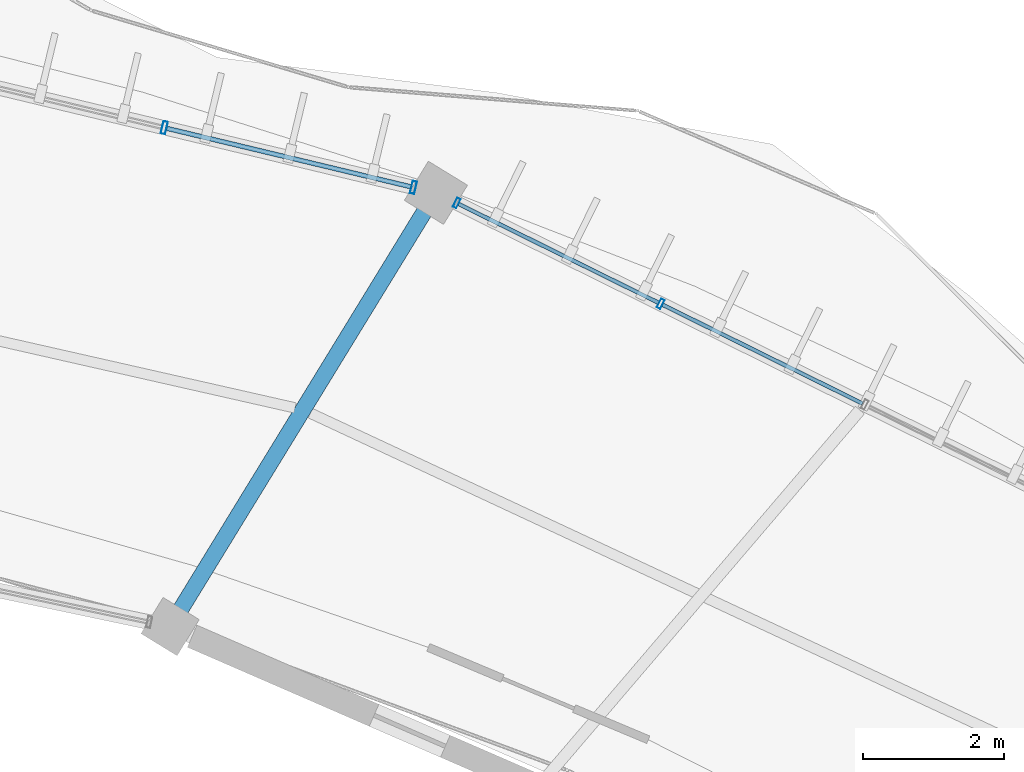
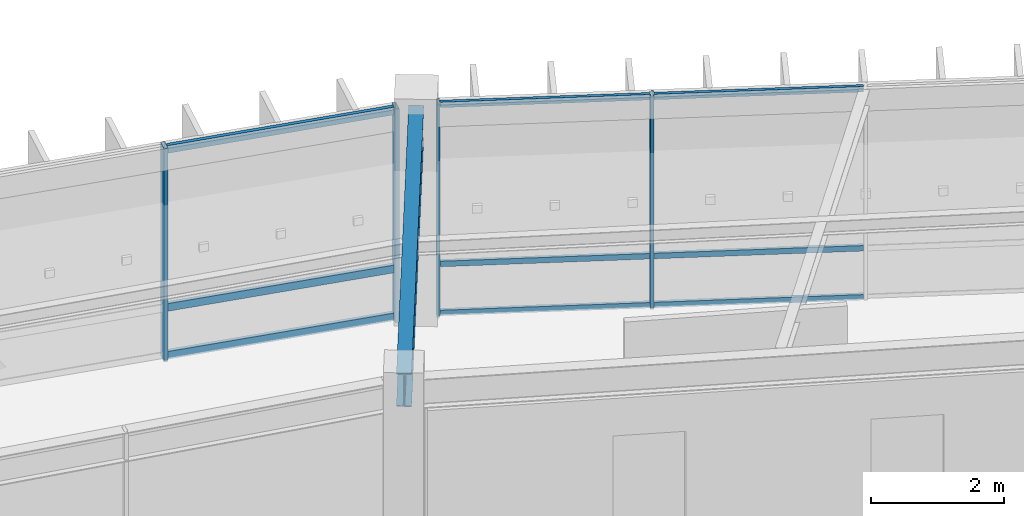
# One storey, part 69 of 114: 13 members, 1 beam, 2 elements without a shape of their own.
"""IFC4 building model written with IfcOpenShell, lengths in metres."""

from ifc_helpers import new_model, si_unit, direction, frame, origin, origin_2d, place, context, subcontext, project, spatial, hollow_rectangle, i_section, extrude, material, material_profile, profile_set, type_object, element, aggregate, save


model = new_model("IFC4")

# Units and contexts
model_context = context("Model", 3, precision=1e-05, world=origin(), true_north=direction((0.0, 1.0)))
body_context = subcontext(model_context, "Body", "Model", "MODEL_VIEW")
ifc_project = project(units=[si_unit("LENGTHUNIT", "METRE"), si_unit("AREAUNIT", "SQUARE_METRE"), si_unit("VOLUMEUNIT", "CUBIC_METRE"), si_unit("PLANEANGLEUNIT", "RADIAN"), si_unit("MASSUNIT", "GRAM", prefix="KILO"), si_unit("THERMODYNAMICTEMPERATUREUNIT", "KELVIN"), si_unit("POWERUNIT", "WATT")], contexts=[model_context])

# Site, building, storey
site_placement = place(None, origin())
site = spatial("IfcSite", under=ifc_project, at=site_placement, CompositionType="ELEMENT")
building_placement = place(site_placement, origin())
building = spatial("IfcBuilding", under=site, at=building_placement, Name="Darbajah Civic Hall", CompositionType="ELEMENT")
storey_placement = place(building_placement, frame((0.0, 0.0, 13.800048828125)))
storey = spatial("IfcBuildingStorey", under=building, at=storey_placement, Name="L03", CompositionType="ELEMENT", Elevation=13.800048828125)

# Curtain wall, members
ifc_material_1 = material(Name="Anodised Bronze Aluminium and Low-E Glazing", Category="aluminium")
curtain_wall_type_1 = type_object("IfcCurtainWallType", Name="Unitised Curtain Wall CW-56 12900x3900", PredefinedType="USERDEFINED", material=ifc_material_1)
curtain_wall_1_placement = place(storey_placement, origin())
curtain_wall_1 = element("IfcCurtainWall", 1, at=curtain_wall_1_placement, inside=storey, type_object=curtain_wall_type_1, Name="L03 unitised curtain wall CW-V1O-L03-02", ObjectType="UNITISED CURTAIN WALL", PredefinedType="USERDEFINED")
ifc_material_2 = material(Name="Anodised Bronze Aluminium", Category="aluminium")
ifc_material_profile_1 = material_profile(ifc_material_2, hollow_rectangle(XDim=0.054931640625, YDim=0.139892578125, WallThickness=0.003173828125, at=origin_2d()), Name="ALU MULLION 55x140")
ifc_profile_set_1 = profile_set([ifc_material_profile_1], Name="Anodised Bronze Aluminium")
member_type_1 = type_object("IfcMemberType", Name="ALU MULLION 55x140", PredefinedType="MULLION", material=ifc_profile_set_1)
member_1_placement = place(storey_placement, frame((118.92724609375, 113.3818359375, 0.0), z_axis=(0.0, 0.0, 1.0), x_axis=(-0.89656374724, 0.442914717678, 0.0)))
member_1 = element("IfcMember", 2, at=member_1_placement, type_object=member_type_1, Name="CW-V1O-L03-02 mullion 4", PredefinedType="MULLION", context=body_context, shape_type="SweptSolid", body=[
    extrude(hollow_rectangle(XDim=0.054931640625, YDim=0.139892578125, WallThickness=0.003173828125, at=origin_2d()), origin(), (0.0, 0.0, 1.0), 3.919921875),
])
member_2_placement = place(storey_placement, frame((116.04052734375, 114.80810546875, 0.0), z_axis=(0.0, 0.0, 1.0), x_axis=(-0.89656374724, 0.442914717678, 0.0)))
member_2 = element("IfcMember", 3, at=member_2_placement, type_object=member_type_1, Name="CW-V1O-L03-02 mullion 5", PredefinedType="MULLION", context=body_context, shape_type="SweptSolid", body=[
    extrude(hollow_rectangle(XDim=0.054931640625, YDim=0.139892578125, WallThickness=0.003173828125, at=origin_2d()), origin(), (0.0, 0.0, 1.0), 3.919921875),
])

curtain_wall_type_2 = type_object("IfcCurtainWallType", Name="Unitised Curtain Wall CW-40 14500x3900", PredefinedType="USERDEFINED", material=ifc_material_1)
curtain_wall_2_placement = place(storey_placement, origin())
curtain_wall_2 = element("IfcCurtainWall", 4, at=curtain_wall_2_placement, inside=storey, type_object=curtain_wall_type_2, Name="L03 unitised curtain wall CW-V1O-L03-03", ObjectType="UNITISED CURTAIN WALL", PredefinedType="USERDEFINED")
ifc_material_profile_2 = material_profile(ifc_material_2, hollow_rectangle(XDim=0.06494140625, YDim=0.179931640625, WallThickness=0.00390625, at=origin_2d()), Name="ALU MULLION 65x180")
ifc_profile_set_2 = profile_set([ifc_material_profile_2], Name="Anodised Bronze Aluminium")
member_type_2 = type_object("IfcMemberType", Name="ALU MULLION 65x180", PredefinedType="MULLION", material=ifc_profile_set_2)
member_3_placement = place(storey_placement, frame((115.429443359375, 115.029052734375, 0.0), z_axis=(0.0, 0.0, 1.0), x_axis=(-0.972492018808, 0.232936200179, 0.0)))
member_3 = element("IfcMember", 5, at=member_3_placement, type_object=member_type_2, Name="CW-V1O-L03-03 mullion 1", PredefinedType="MULLION", context=body_context, shape_type="SweptSolid", body=[
    extrude(hollow_rectangle(XDim=0.06494140625, YDim=0.179931640625, WallThickness=0.00390625, at=origin_2d()), origin(), (0.0, 0.0, 1.0), 3.919921875),
])
member_4_placement = place(storey_placement, frame((111.903076171875, 115.8740234375, 0.0), z_axis=(0.0, 0.0, 1.0), x_axis=(-0.972492018808, 0.232936200179, 0.0)))
member_4 = element("IfcMember", 6, at=member_4_placement, type_object=member_type_2, Name="CW-V1O-L03-03 mullion 2", PredefinedType="MULLION", context=body_context, shape_type="SweptSolid", body=[
    extrude(hollow_rectangle(XDim=0.06494140625, YDim=0.179931640625, WallThickness=0.00390625, at=origin_2d()), origin(), (0.0, 0.0, 1.0), 3.919921875),
])

# Member
ifc_material_profile_3 = material_profile(ifc_material_2, hollow_rectangle(XDim=0.054931640625, YDim=0.10009765625, WallThickness=0.0029296875, at=origin_2d()), Name="ALU TRANSOM 55x100")
ifc_profile_set_3 = profile_set([ifc_material_profile_3], Name="Anodised Bronze Aluminium")
member_type_3 = type_object("IfcMemberType", Name="ALU TRANSOM 55x100", PredefinedType="USERDEFINED", material=ifc_profile_set_3)
member_5_placement = place(storey_placement, frame((121.784912109375, 111.97021484375, 0.050048828125), z_axis=(-0.896537562608, 0.442967717597, 0.0), x_axis=(-0.442967717597, -0.896537562608, 0.0)))
member_5 = element("IfcMember", 7, at=member_5_placement, type_object=member_type_3, Name="CW-V1O-L03-02 transom 3.1", ObjectType="TRANSOM", PredefinedType="USERDEFINED", context=body_context, shape_type="SweptSolid", body=[
    extrude(hollow_rectangle(XDim=0.054931640625, YDim=0.10009765625, WallThickness=0.0029296875, at=origin_2d()), origin(), (0.0, 0.0, 1.0), 3.15478515625),
])

member_6_placement = place(storey_placement, frame((121.784912109375, 111.97021484375, 0.949951171875), z_axis=(-0.896537562608, 0.442967717597, 0.0), x_axis=(-0.442967717597, -0.896537562608, 0.0)))
member_6 = element("IfcMember", 8, at=member_6_placement, type_object=member_type_3, Name="CW-V1O-L03-02 transom 3.2", ObjectType="TRANSOM", PredefinedType="USERDEFINED", context=body_context, shape_type="SweptSolid", body=[
    extrude(hollow_rectangle(XDim=0.054931640625, YDim=0.10009765625, WallThickness=0.0029296875, at=origin_2d()), origin(), (0.0, 0.0, 1.0), 3.15478515625),
])

member_7_placement = place(storey_placement, frame((121.784912109375, 111.97021484375, 3.869873046875), z_axis=(-0.896537562608, 0.442967717597, 0.0), x_axis=(-0.442967717597, -0.896537562608, 0.0)))
member_7 = element("IfcMember", 9, at=member_7_placement, type_object=member_type_3, Name="CW-V1O-L03-02 transom 3.3", ObjectType="TRANSOM", PredefinedType="USERDEFINED", context=body_context, shape_type="SweptSolid", body=[
    extrude(hollow_rectangle(XDim=0.054931640625, YDim=0.10009765625, WallThickness=0.0029296875, at=origin_2d()), origin(), (0.0, 0.0, 1.0), 3.15478515625),
])

member_8_placement = place(storey_placement, frame((118.898193359375, 113.396240234375, 0.050048828125), z_axis=(-0.896552746091, 0.442936985899, 0.0), x_axis=(-0.442936985899, -0.896552746091, 0.0)))
member_8 = element("IfcMember", 10, at=member_8_placement, type_object=member_type_3, Name="CW-V1O-L03-02 transom 4.1", ObjectType="TRANSOM", PredefinedType="USERDEFINED", context=body_context, shape_type="SweptSolid", body=[
    extrude(hollow_rectangle(XDim=0.054931640625, YDim=0.10009765625, WallThickness=0.0029296875, at=origin_2d()), origin(), (0.0, 0.0, 1.0), 3.155029296875),
])

member_9_placement = place(storey_placement, frame((118.898193359375, 113.396240234375, 0.949951171875), z_axis=(-0.896552746091, 0.442936985899, 0.0), x_axis=(-0.442936985899, -0.896552746091, 0.0)))
member_9 = element("IfcMember", 11, at=member_9_placement, type_object=member_type_3, Name="CW-V1O-L03-02 transom 4.2", ObjectType="TRANSOM", PredefinedType="USERDEFINED", context=body_context, shape_type="SweptSolid", body=[
    extrude(hollow_rectangle(XDim=0.054931640625, YDim=0.10009765625, WallThickness=0.0029296875, at=origin_2d()), origin(), (0.0, 0.0, 1.0), 3.155029296875),
])

member_10_placement = place(storey_placement, frame((118.898193359375, 113.396240234375, 3.869873046875), z_axis=(-0.896552746091, 0.442936985899, 0.0), x_axis=(-0.442936985899, -0.896552746091, 0.0)))
member_10 = element("IfcMember", 12, at=member_10_placement, type_object=member_type_3, Name="CW-V1O-L03-02 transom 4.3", ObjectType="TRANSOM", PredefinedType="USERDEFINED", context=body_context, shape_type="SweptSolid", body=[
    extrude(hollow_rectangle(XDim=0.054931640625, YDim=0.10009765625, WallThickness=0.0029296875, at=origin_2d()), origin(), (0.0, 0.0, 1.0), 3.155029296875),
])

aggregate(curtain_wall_1, [member_1, member_2, member_5, member_6, member_7, member_8, member_9, member_10])

ifc_material_profile_4 = material_profile(ifc_material_2, hollow_rectangle(XDim=0.06494140625, YDim=0.139892578125, WallThickness=0.00341796875, at=origin_2d()), Name="ALU TRANSOM 65x140")
ifc_profile_set_4 = profile_set([ifc_material_profile_4], Name="Anodised Bronze Aluminium")
member_type_4 = type_object("IfcMemberType", Name="ALU TRANSOM 65x140", PredefinedType="USERDEFINED", material=ifc_profile_set_4)
member_11_placement = place(storey_placement, frame((115.392822265625, 115.037841796875, 0.070068359375), z_axis=(-0.972477717615, 0.232995898551, 0.0), x_axis=(-0.232995898551, -0.972477717615, 0.0)))
member_11 = element("IfcMember", 13, at=member_11_placement, type_object=member_type_4, Name="CW-V1O-L03-03 transom 1.1", ObjectType="TRANSOM", PredefinedType="USERDEFINED", context=body_context, shape_type="SweptSolid", body=[
    extrude(hollow_rectangle(XDim=0.06494140625, YDim=0.139892578125, WallThickness=0.00341796875, at=origin_2d()), origin(), (0.0, 0.0, 1.0), 3.551025390625),
])

member_12_placement = place(storey_placement, frame((115.392822265625, 115.037841796875, 0.949951171875), z_axis=(-0.972477717615, 0.232995898551, 0.0), x_axis=(-0.232995898551, -0.972477717615, 0.0)))
member_12 = element("IfcMember", 14, at=member_12_placement, type_object=member_type_4, Name="CW-V1O-L03-03 transom 1.2", ObjectType="TRANSOM", PredefinedType="USERDEFINED", context=body_context, shape_type="SweptSolid", body=[
    extrude(hollow_rectangle(XDim=0.06494140625, YDim=0.139892578125, WallThickness=0.00341796875, at=origin_2d()), origin(), (0.0, 0.0, 1.0), 3.551025390625),
])

member_13_placement = place(storey_placement, frame((115.392822265625, 115.037841796875, 3.849853515625), z_axis=(-0.972477717615, 0.232995898551, 0.0), x_axis=(-0.232995898551, -0.972477717615, 0.0)))
member_13 = element("IfcMember", 15, at=member_13_placement, type_object=member_type_4, Name="CW-V1O-L03-03 transom 1.3", ObjectType="TRANSOM", PredefinedType="USERDEFINED", context=body_context, shape_type="SweptSolid", body=[
    extrude(hollow_rectangle(XDim=0.06494140625, YDim=0.139892578125, WallThickness=0.00341796875, at=origin_2d()), origin(), (0.0, 0.0, 1.0), 3.551025390625),
])

aggregate(curtain_wall_2, [member_3, member_4, member_11, member_12, member_13])

# Beam
ifc_material_3 = material(Name="Steel S355JR", Category="steel")
ifc_material_profile_5 = material_profile(ifc_material_3, i_section(OverallWidth=0.228271484375, OverallDepth=0.607666015625, WebThickness=0.010986328125, FlangeThickness=0.017333984375, FilletRadius=0.0126953125, at=origin_2d()), Name="UB 610x229x113")
ifc_profile_set_5 = profile_set([ifc_material_profile_5], Name="Steel S355JR")
beam_type = type_object("IfcBeamType", Name="UB 610x229x113", PredefinedType="BEAM", material=ifc_profile_set_5)
beam_placement = place(storey_placement, frame((112.027099609375, 108.882080078125, 3.6162109375), z_axis=(0.522500254411, 0.852639128905, 0.0), x_axis=(-0.852639128905, 0.522500254411, 0.0)))
element("IfcBeam", 16, at=beam_placement, inside=storey, type_object=beam_type, Name="L03 beam SB-610", PredefinedType="BEAM", context=body_context, shape_type="SweptSolid", body=[
    extrude(i_section(OverallWidth=0.228271484375, OverallDepth=0.607666015625, WebThickness=0.010986328125, FlangeThickness=0.017333984375, FilletRadius=0.0126953125, at=origin_2d()), origin(), (0.0, 0.0, 1.0), 7.0400390625),
])

save(model, "model.ifc")
